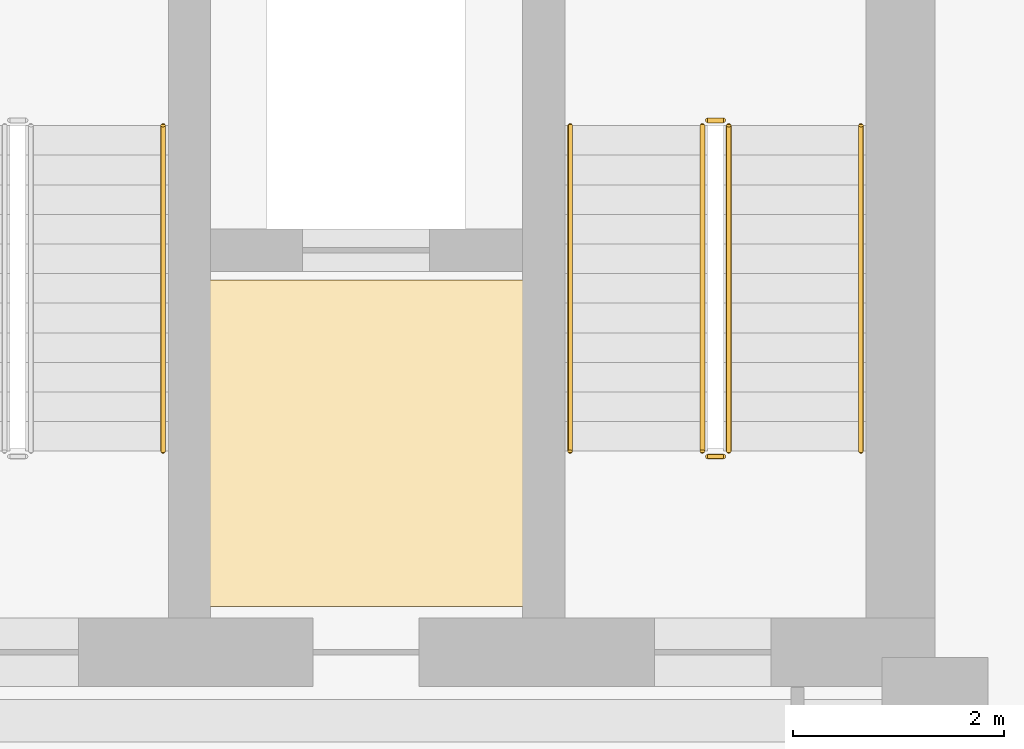
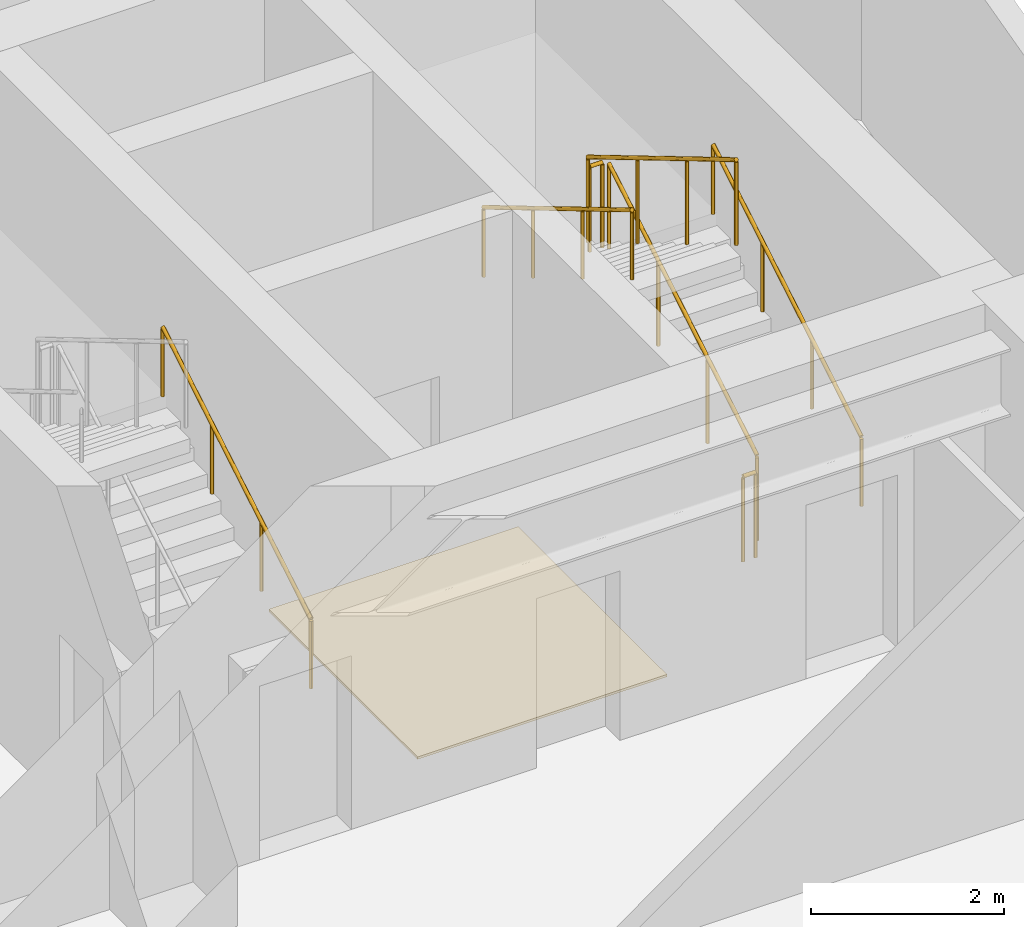
# One storey, part 26 of 26: 7 railings, 1 covering.
"""IFC4 building model written with IfcOpenShell, lengths in metres."""

from ifc_helpers import new_model, si_unit, direction, frame, origin, origin_2d, place, context, subcontext, project, spatial, polyline, circle, outline, extrude, material, layer, layer_set, type_object, element, save


model = new_model("IFC4")

# Units and contexts
model_context = context("Model", 3, precision=1e-05, world=origin(), true_north=direction((0.0, 1.0)))
body_context = subcontext(model_context, "Body", "Model", "MODEL_VIEW")
ifc_project = project(units=[si_unit("LENGTHUNIT", "METRE"), si_unit("AREAUNIT", "SQUARE_METRE"), si_unit("VOLUMEUNIT", "CUBIC_METRE"), si_unit("PLANEANGLEUNIT", "RADIAN"), si_unit("MASSUNIT", "GRAM", prefix="KILO")], contexts=[model_context])

# Site, building, storey
site_placement = place(None, origin())
site = spatial("IfcSite", under=ifc_project, at=site_placement, CompositionType="ELEMENT")
building_placement = place(site_placement, origin())
building = spatial("IfcBuilding", under=site, at=building_placement, Name="Kravanh Interchange Tower", CompositionType="ELEMENT")
storey_placement = place(building_placement, frame((0.0, 0.0, 108.0)))
storey = spatial("IfcBuildingStorey", under=building, at=storey_placement, Name="L25", CompositionType="ELEMENT", Elevation=108.0)

# Covering
ifc_material_1 = material(Name="Cementitious Terrazzo Tile")
ifc_layer_1 = layer(ifc_material_1, 0.030029296875)
ifc_layer_set_1 = layer_set([ifc_layer_1], Name="Honed Terrazzo Lobby Flooring 30mm")
covering_type = type_object("IfcCoveringType", Name="Honed Terrazzo Lobby Flooring 30mm", PredefinedType="FLOORING", material=ifc_layer_set_1)
covering_placement = place(storey_placement, origin())
element("IfcCovering", 1, at=covering_placement, inside=storey, type_object=covering_type, Name="L25 Service Lift Lobby Floor Finish", PredefinedType="FLOORING", context=body_context, shape_type="SweptSolid", body=[
    extrude(outline(polyline([(59.6298828125, 41.52001953125), (62.6201171875, 41.52001953125), (62.6201171875, 38.429931640625), (59.6298828125, 38.429931640625), (59.6298828125, 41.52001953125)])), origin(), (0.0, 0.0, 1.0), 0.030029296875),
])

# Railings
ifc_material_2 = material(Name="Structural Steel S355", Category="steel")
ifc_layer_2 = layer(ifc_material_2, 0.050048828125)
ifc_layer_set_2 = layer_set([ifc_layer_2], Name="Stair Well Guardrail Structural Steel S355 1100mm")
railing_type_1 = type_object("IfcRailingType", Name="Stair Well Guardrail Structural Steel S355 1100mm", PredefinedType="GUARDRAIL", material=ifc_layer_set_2)
railing_1_placement = place(storey_placement, frame((64.550048828125, 39.89990234375, 0.166748046875)))
element("IfcRailing", 2, at=railing_1_placement, inside=storey, type_object=railing_type_1, Name="L25 ST1 stair guard 1", PredefinedType="GUARDRAIL", context=body_context, shape_type="SweptSolid", body=[
    extrude(circle(Radius=0.02392578125, at=origin_2d()), frame((0.0, 0.0, 1.076171875), z_axis=(0.0, 0.859308565015, 0.511457515432), x_axis=(-1.0, 0.0, 0.0)), (0.0, 0.0, 1.0), 3.58447265625),
    extrude(circle(Radius=0.02099609375, at=origin_2d()), origin(), (0.0, 0.0, 1.0), 1.052001953125),
    extrude(circle(Radius=0.02099609375, at=origin_2d()), frame((0.0, 1.026611328125, 0.611083984375)), (0.0, 0.0, 1.0), 1.052001953125),
    extrude(circle(Radius=0.02099609375, at=origin_2d()), frame((0.0, 2.053466796875, 1.22216796875)), (0.0, 0.0, 1.0), 1.052001953125),
    extrude(circle(Radius=0.02099609375, at=origin_2d()), frame((0.0, 3.080078125, 1.833251953125)), (0.0, 0.0, 1.0), 1.052001953125),
])
railing_2_placement = place(storey_placement, frame((64.5, 43.030029296875, 2.0)))
element("IfcRailing", 3, at=railing_2_placement, inside=storey, type_object=railing_type_1, Name="L25 ST1 stair guard 2", PredefinedType="GUARDRAIL", context=body_context, shape_type="SweptSolid", body=[
    extrude(circle(Radius=0.02392578125, at=origin_2d()), frame((0.0, 0.0, 1.076171875), z_axis=(-1.0, 0.0, 0.0), x_axis=(0.0, -1.0, 0.0)), (0.0, 0.0, 1.0), 0.14990234375),
    extrude(circle(Radius=0.02099609375, at=origin_2d()), origin(), (0.0, 0.0, 1.0), 1.052001953125),
    extrude(circle(Radius=0.02099609375, at=origin_2d()), frame((-0.14990234375, 0.0, 0.0)), (0.0, 0.0, 1.0), 1.052001953125),
])
railing_3_placement = place(storey_placement, frame((64.300048828125, 42.97998046875, 2.166748046875)))
element("IfcRailing", 4, at=railing_3_placement, inside=storey, type_object=railing_type_1, Name="L25 ST1 stair guard 3", PredefinedType="GUARDRAIL", context=body_context, shape_type="SweptSolid", body=[
    extrude(circle(Radius=0.02392578125, at=origin_2d()), frame((0.0, 0.0, 1.076171875), z_axis=(0.0, -0.859308565015, 0.511457515432), x_axis=(1.0, 0.0, 0.0)), (0.0, 0.0, 1.0), 3.58447265625),
    extrude(circle(Radius=0.02099609375, at=origin_2d()), origin(), (0.0, 0.0, 1.0), 1.052001953125),
    extrude(circle(Radius=0.02099609375, at=origin_2d()), frame((0.0, -1.026611328125, 0.611083984375)), (0.0, 0.0, 1.0), 1.052001953125),
    extrude(circle(Radius=0.02099609375, at=origin_2d()), frame((0.0, -2.053466796875, 1.22216796875)), (0.0, 0.0, 1.0), 1.052001953125),
    extrude(circle(Radius=0.02099609375, at=origin_2d()), frame((0.0, -3.080078125, 1.833251953125)), (0.0, 0.0, 1.0), 1.052001953125),
])
railing_4_placement = place(storey_placement, frame((64.5, 39.85009765625, 0.0)))
element("IfcRailing", 5, at=railing_4_placement, inside=storey, type_object=railing_type_1, Name="L25 ST1 stair guard 4", PredefinedType="GUARDRAIL", context=body_context, shape_type="SweptSolid", body=[
    extrude(circle(Radius=0.02392578125, at=origin_2d()), frame((0.0, 0.0, 1.076171875), z_axis=(-1.0, 0.0, 0.0), x_axis=(0.0, -1.0, 0.0)), (0.0, 0.0, 1.0), 0.14990234375),
    extrude(circle(Radius=0.02099609375, at=origin_2d()), origin(), (0.0, 0.0, 1.0), 1.052001953125),
    extrude(circle(Radius=0.02099609375, at=origin_2d()), frame((-0.14990234375, 0.0, 0.0)), (0.0, 0.0, 1.0), 1.052001953125),
])
ifc_material_3 = material(Name="Stainless Steel 304", Category="steel")
ifc_layer_3 = layer(ifc_material_3, 0.044921875)
ifc_layer_set_3 = layer_set([ifc_layer_3], Name="Tubular Stair Handrail Stainless 304 900mm")
railing_type_2 = type_object("IfcRailingType", Name="Tubular Stair Handrail Stainless 304 900mm", PredefinedType="HANDRAIL", material=ifc_layer_set_3)
railing_5_placement = place(storey_placement, frame((65.800048828125, 39.89990234375, 0.166748046875)))
element("IfcRailing", 6, at=railing_5_placement, inside=storey, type_object=railing_type_2, Name="L25 ST1 stair handrail 1", PredefinedType="HANDRAIL", context=body_context, shape_type="SweptSolid", body=[
    extrude(circle(Radius=0.02392578125, at=origin_2d()), frame((0.0, 0.0, 0.8759765625), z_axis=(0.0, 0.859308565015, 0.511457515432), x_axis=(-1.0, 0.0, 0.0)), (0.0, 0.0, 1.0), 3.58447265625),
    extrude(circle(Radius=0.02099609375, at=origin_2d()), origin(), (0.0, 0.0, 1.0), 0.851806640625),
    extrude(circle(Radius=0.02099609375, at=origin_2d()), frame((0.0, 1.026611328125, 0.611083984375)), (0.0, 0.0, 1.0), 0.851806640625),
    extrude(circle(Radius=0.02099609375, at=origin_2d()), frame((0.0, 2.053466796875, 1.22216796875)), (0.0, 0.0, 1.0), 0.851806640625),
    extrude(circle(Radius=0.02099609375, at=origin_2d()), frame((0.0, 3.080078125, 1.833251953125)), (0.0, 0.0, 1.0), 0.851806640625),
])
railing_6_placement = place(storey_placement, frame((63.050048828125, 42.97998046875, 2.166748046875)))
element("IfcRailing", 7, at=railing_6_placement, inside=storey, type_object=railing_type_2, Name="L25 ST1 stair handrail 2", PredefinedType="HANDRAIL", context=body_context, shape_type="SweptSolid", body=[
    extrude(circle(Radius=0.02392578125, at=origin_2d()), frame((0.0, 0.0, 0.8759765625), z_axis=(0.0, -0.859308565015, 0.511457515432), x_axis=(1.0, 0.0, 0.0)), (0.0, 0.0, 1.0), 3.58447265625),
    extrude(circle(Radius=0.02099609375, at=origin_2d()), origin(), (0.0, 0.0, 1.0), 0.851806640625),
    extrude(circle(Radius=0.02099609375, at=origin_2d()), frame((0.0, -1.026611328125, 0.611083984375)), (0.0, 0.0, 1.0), 0.851806640625),
    extrude(circle(Radius=0.02099609375, at=origin_2d()), frame((0.0, -2.053466796875, 1.22216796875)), (0.0, 0.0, 1.0), 0.851806640625),
    extrude(circle(Radius=0.02099609375, at=origin_2d()), frame((0.0, -3.080078125, 1.833251953125)), (0.0, 0.0, 1.0), 0.851806640625),
])
railing_7_placement = place(storey_placement, frame((59.199951171875, 39.89990234375, 0.166748046875)))
element("IfcRailing", 8, at=railing_7_placement, inside=storey, type_object=railing_type_2, Name="L25 ST2 stair handrail 1", PredefinedType="HANDRAIL", context=body_context, shape_type="SweptSolid", body=[
    extrude(circle(Radius=0.02392578125, at=origin_2d()), frame((0.0, 0.0, 0.8759765625), z_axis=(0.0, 0.859308565015, 0.511457515432), x_axis=(-1.0, 0.0, 0.0)), (0.0, 0.0, 1.0), 3.58447265625),
    extrude(circle(Radius=0.02099609375, at=origin_2d()), origin(), (0.0, 0.0, 1.0), 0.851806640625),
    extrude(circle(Radius=0.02099609375, at=origin_2d()), frame((0.0, 1.026611328125, 0.611083984375)), (0.0, 0.0, 1.0), 0.851806640625),
    extrude(circle(Radius=0.02099609375, at=origin_2d()), frame((0.0, 2.053466796875, 1.22216796875)), (0.0, 0.0, 1.0), 0.851806640625),
    extrude(circle(Radius=0.02099609375, at=origin_2d()), frame((0.0, 3.080078125, 1.833251953125)), (0.0, 0.0, 1.0), 0.851806640625),
])

save(model, "model.ifc")
